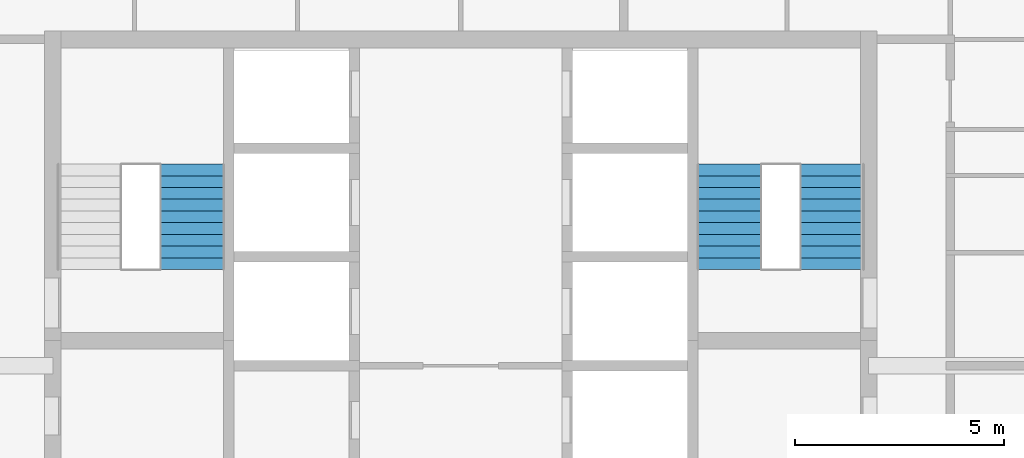
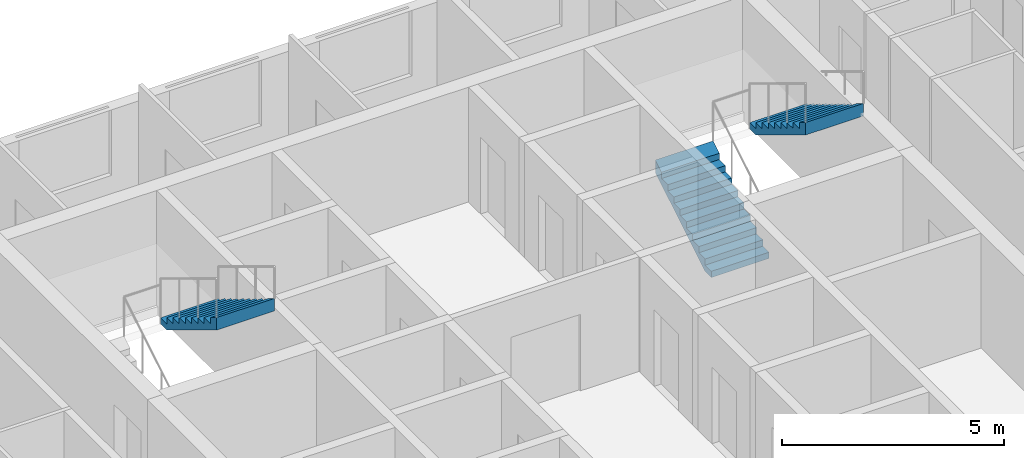
# One storey, part 14 of 16: 3 stair flights, 2 elements without a shape of their own.
"""IFC4 building model written with IfcOpenShell, lengths in metres."""

from ifc_helpers import new_model, si_unit, direction, frame, origin, place, context, subcontext, project, spatial, triangles, material, type_object, element, aggregate, save


model = new_model("IFC4")

# Units and contexts
model_context = context("Model", 3, precision=1e-05, world=origin(), true_north=direction((0.0, 1.0)))
body_context = subcontext(model_context, "Body", "Model", "MODEL_VIEW")
ifc_project = project(units=[si_unit("LENGTHUNIT", "METRE"), si_unit("AREAUNIT", "SQUARE_METRE"), si_unit("VOLUMEUNIT", "CUBIC_METRE"), si_unit("PLANEANGLEUNIT", "RADIAN"), si_unit("MASSUNIT", "GRAM", prefix="KILO")], contexts=[model_context])

# Site, building, storey
site_placement = place(None, origin())
site = spatial("IfcSite", under=ifc_project, at=site_placement, CompositionType="ELEMENT")
building_placement = place(site_placement, origin())
building = spatial("IfcBuilding", under=site, at=building_placement, Name="Ludao Terraces", CompositionType="ELEMENT")
storey_placement = place(building_placement, frame((0.0, 0.0, 224.5)))
storey = spatial("IfcBuildingStorey", under=building, at=storey_placement, Name="L61", CompositionType="ELEMENT", Elevation=224.5)

# Stair, stair flight
ifc_material = material(Name="Concrete C40", Category="concrete")
stair_type = type_object("IfcStairType", Name="INT Stair", PredefinedType="HALF_TURN_STAIR", material=ifc_material)
stair_1_placement = place(storey_placement, origin())
stair_1 = element("IfcStair", 1, at=stair_1_placement, inside=storey, type_object=stair_type, Name="EXIT STAIR 1", PredefinedType="HALF_TURN_STAIR")
stair_flight_type = type_object("IfcStairFlightType", Name="INT Stair flight", PredefinedType="STRAIGHT", material=ifc_material)
stair_flight_1_placement = place(storey_placement, frame((78.574951171875, 81.52001953125, 1.699951171875), z_axis=(0.0, 0.0, 1.0), x_axis=(0.0, -1.0, 0.0)))
stair_flight_1 = element("IfcStairFlight", 2, at=stair_flight_1_placement, type_object=stair_flight_type, Name="ST1 flight 2", NumberOfRisers=10, NumberOfTreads=9, PredefinedType="STRAIGHT", RiserHeight=0.17, TreadLength=0.28, context=body_context, shape_type="Tessellation", body=[
    triangles([(0.0, -0.75, 0.0), (0.0, -0.5, 0.0), (0.0, -0.25, 0.0), (0.0, 0.0, 0.0), (0.0, 0.25, 0.0), (0.0, 0.5, 0.0), (0.0, 0.75, 0.0), (0.0, -0.75, 0.169921875), (0.0, -0.5, 0.169921875), (0.0, -0.25, 0.169921875), (0.0, 0.0, 0.169921875), (0.0, 0.25, 0.169921875), (0.0, 0.5, 0.169921875), (0.0, 0.75, 0.169921875), (0.280029296875, -0.75, 0.169921875), (0.280029296875, -0.5, 0.169921875), (0.280029296875, -0.25, 0.169921875), (0.280029296875, 0.0, 0.169921875), (0.280029296875, 0.25, 0.169921875), (0.280029296875, 0.5, 0.169921875), (0.280029296875, 0.75, 0.169921875), (0.280029296875, -0.75, 0.340087890625), (0.280029296875, -0.5, 0.340087890625), (0.280029296875, -0.25, 0.340087890625), (0.280029296875, 0.0, 0.340087890625), (0.280029296875, 0.25, 0.340087890625), (0.280029296875, 0.5, 0.340087890625), (0.280029296875, 0.75, 0.340087890625), (0.56005859375, -0.75, 0.340087890625), (0.56005859375, -0.5, 0.340087890625), (0.56005859375, -0.25, 0.340087890625), (0.56005859375, 0.0, 0.340087890625), (0.56005859375, 0.25, 0.340087890625), (0.56005859375, 0.5, 0.340087890625), (0.56005859375, 0.75, 0.340087890625), (0.56005859375, -0.75, 0.510009765625), (0.56005859375, -0.5, 0.510009765625), (0.56005859375, -0.25, 0.510009765625), (0.56005859375, 0.0, 0.510009765625), (0.56005859375, 0.25, 0.510009765625), (0.56005859375, 0.5, 0.510009765625), (0.56005859375, 0.75, 0.510009765625), (0.840087890625, -0.75, 0.510009765625), (0.840087890625, -0.5, 0.510009765625), (0.840087890625, -0.25, 0.510009765625), (0.840087890625, 0.0, 0.510009765625), (0.840087890625, 0.25, 0.510009765625), (0.840087890625, 0.5, 0.510009765625), (0.840087890625, 0.75, 0.510009765625), (0.840087890625, -0.75, 0.679931640625), (0.840087890625, -0.5, 0.679931640625), (0.840087890625, -0.25, 0.679931640625), (0.840087890625, 0.0, 0.679931640625), (0.840087890625, 0.25, 0.679931640625), (0.840087890625, 0.5, 0.679931640625), (0.840087890625, 0.75, 0.679931640625), (1.1201171875, -0.75, 0.679931640625), (1.1201171875, -0.5, 0.679931640625), (1.1201171875, -0.25, 0.679931640625), (1.1201171875, 0.0, 0.679931640625), (1.1201171875, 0.25, 0.679931640625), (1.1201171875, 0.5, 0.679931640625), (1.1201171875, 0.75, 0.679931640625), (1.1201171875, -0.75, 0.85009765625), (1.1201171875, -0.5, 0.85009765625), (1.1201171875, -0.25, 0.85009765625), (1.1201171875, 0.0, 0.85009765625), (1.1201171875, 0.25, 0.85009765625), (1.1201171875, 0.5, 0.85009765625), (1.1201171875, 0.75, 0.85009765625), (1.39990234375, -0.75, 0.85009765625), (1.39990234375, -0.5, 0.85009765625), (1.39990234375, -0.25, 0.85009765625), (1.39990234375, 0.0, 0.85009765625), (1.39990234375, 0.25, 0.85009765625), (1.39990234375, 0.5, 0.85009765625), (1.39990234375, 0.75, 0.85009765625), (1.39990234375, -0.75, 1.02001953125), (1.39990234375, -0.5, 1.02001953125), (1.39990234375, -0.25, 1.02001953125), (1.39990234375, 0.0, 1.02001953125), (1.39990234375, 0.25, 1.02001953125), (1.39990234375, 0.5, 1.02001953125), (1.39990234375, 0.75, 1.02001953125), (1.679931640625, -0.75, 1.02001953125), (1.679931640625, -0.5, 1.02001953125), (1.679931640625, -0.25, 1.02001953125), (1.679931640625, 0.0, 1.02001953125), (1.679931640625, 0.25, 1.02001953125), (1.679931640625, 0.5, 1.02001953125), (1.679931640625, 0.75, 1.02001953125), (1.679931640625, -0.75, 1.18994140625), (1.679931640625, -0.5, 1.18994140625), (1.679931640625, -0.25, 1.18994140625), (1.679931640625, 0.0, 1.18994140625), (1.679931640625, 0.25, 1.18994140625), (1.679931640625, 0.5, 1.18994140625), (1.679931640625, 0.75, 1.18994140625), (1.9599609375, -0.75, 1.18994140625), (1.9599609375, -0.5, 1.18994140625), (1.9599609375, -0.25, 1.18994140625), (1.9599609375, 0.0, 1.18994140625), (1.9599609375, 0.25, 1.18994140625), (1.9599609375, 0.5, 1.18994140625), (1.9599609375, 0.75, 1.18994140625), (1.9599609375, -0.75, 1.360107421875), (1.9599609375, -0.5, 1.360107421875), (1.9599609375, -0.25, 1.360107421875), (1.9599609375, 0.0, 1.360107421875), (1.9599609375, 0.25, 1.360107421875), (1.9599609375, 0.5, 1.360107421875), (1.9599609375, 0.75, 1.360107421875), (2.239990234375, -0.75, 1.360107421875), (2.239990234375, -0.5, 1.360107421875), (2.239990234375, -0.25, 1.360107421875), (2.239990234375, 0.0, 1.360107421875), (2.239990234375, 0.25, 1.360107421875), (2.239990234375, 0.5, 1.360107421875), (2.239990234375, 0.75, 1.360107421875), (2.239990234375, -0.75, 1.530029296875), (2.239990234375, -0.5, 1.530029296875), (2.239990234375, -0.25, 1.530029296875), (2.239990234375, 0.0, 1.530029296875), (2.239990234375, 0.25, 1.530029296875), (2.239990234375, 0.5, 1.530029296875), (2.239990234375, 0.75, 1.530029296875), (2.52001953125, -0.75, 1.699951171875), (2.52001953125, -0.5, 1.699951171875), (2.52001953125, -0.25, 1.699951171875), (2.52001953125, 0.0, 1.699951171875), (2.52001953125, 0.25, 1.699951171875), (2.52001953125, 0.5, 1.699951171875), (2.52001953125, 0.75, 1.699951171875), (2.52001953125, -0.75, 1.354736328125), (2.52001953125, -0.5, 1.354736328125), (2.52001953125, -0.25, 1.354736328125), (2.52001953125, 0.0, 1.354736328125), (2.52001953125, 0.25, 1.354736328125), (2.52001953125, 0.5, 1.354736328125), (2.52001953125, 0.75, 1.354736328125), (0.288818359375, -0.75, 0.0), (0.288818359375, -0.5, 0.0), (0.288818359375, -0.25, 0.0), (0.288818359375, 0.0, 0.0), (0.288818359375, 0.25, 0.0), (0.288818359375, 0.5, 0.0), (0.288818359375, 0.75, 0.0)], [[1, 141, 134], [7, 140, 147], [134, 127, 120], [140, 126, 133], [134, 120, 113], [140, 119, 126], [134, 113, 106], [140, 112, 119], [134, 106, 99], [140, 105, 112], [99, 92, 85], [105, 91, 98], [134, 99, 85], [140, 91, 105], [85, 78, 71], [91, 77, 84], [134, 85, 71], [140, 77, 91], [71, 64, 57], [77, 63, 70], [134, 71, 57], [140, 63, 77], [57, 50, 43], [63, 49, 56], [134, 57, 43], [140, 49, 63], [43, 36, 29], [49, 35, 42], [134, 43, 29], [140, 35, 49], [29, 22, 15], [35, 21, 28], [134, 29, 15], [140, 21, 35], [1, 134, 15], [7, 21, 140], [15, 8, 1], [21, 7, 14], [1, 9, 2], [1, 8, 9], [2, 10, 3], [2, 9, 10], [3, 11, 4], [3, 10, 11], [4, 12, 5], [4, 11, 12], [5, 13, 6], [5, 12, 13], [6, 14, 7], [6, 13, 14], [8, 16, 9], [8, 15, 16], [9, 17, 10], [9, 16, 17], [10, 18, 11], [10, 17, 18], [11, 19, 12], [11, 18, 19], [12, 20, 13], [12, 19, 20], [13, 21, 14], [13, 20, 21], [15, 23, 16], [15, 22, 23], [16, 24, 17], [16, 23, 24], [17, 25, 18], [17, 24, 25], [18, 26, 19], [18, 25, 26], [19, 27, 20], [19, 26, 27], [20, 28, 21], [20, 27, 28], [22, 30, 23], [22, 29, 30], [23, 31, 24], [23, 30, 31], [24, 32, 25], [24, 31, 32], [25, 33, 26], [25, 32, 33], [26, 34, 27], [26, 33, 34], [27, 35, 28], [27, 34, 35], [29, 37, 30], [29, 36, 37], [30, 38, 31], [30, 37, 38], [31, 39, 32], [31, 38, 39], [32, 40, 33], [32, 39, 40], [33, 41, 34], [33, 40, 41], [34, 42, 35], [34, 41, 42], [36, 44, 37], [36, 43, 44], [37, 45, 38], [37, 44, 45], [38, 46, 39], [38, 45, 46], [39, 47, 40], [39, 46, 47], [40, 48, 41], [40, 47, 48], [41, 49, 42], [41, 48, 49], [43, 51, 44], [43, 50, 51], [44, 52, 45], [44, 51, 52], [45, 53, 46], [45, 52, 53], [46, 54, 47], [46, 53, 54], [47, 55, 48], [47, 54, 55], [48, 56, 49], [48, 55, 56], [50, 58, 51], [50, 57, 58], [51, 59, 52], [51, 58, 59], [52, 60, 53], [52, 59, 60], [53, 61, 54], [53, 60, 61], [54, 62, 55], [54, 61, 62], [55, 63, 56], [55, 62, 63], [57, 65, 58], [57, 64, 65], [58, 66, 59], [58, 65, 66], [59, 67, 60], [59, 66, 67], [60, 68, 61], [60, 67, 68], [61, 69, 62], [61, 68, 69], [62, 70, 63], [62, 69, 70], [64, 72, 65], [64, 71, 72], [65, 73, 66], [65, 72, 73], [66, 74, 67], [66, 73, 74], [67, 75, 68], [67, 74, 75], [68, 76, 69], [68, 75, 76], [69, 77, 70], [69, 76, 77], [71, 79, 72], [71, 78, 79], [72, 80, 73], [72, 79, 80], [73, 81, 74], [73, 80, 81], [74, 82, 75], [74, 81, 82], [75, 83, 76], [75, 82, 83], [76, 84, 77], [76, 83, 84], [78, 86, 79], [78, 85, 86], [79, 87, 80], [79, 86, 87], [80, 88, 81], [80, 87, 88], [81, 89, 82], [81, 88, 89], [82, 90, 83], [82, 89, 90], [83, 91, 84], [83, 90, 91], [85, 93, 86], [85, 92, 93], [86, 94, 87], [86, 93, 94], [87, 95, 88], [87, 94, 95], [88, 96, 89], [88, 95, 96], [89, 97, 90], [89, 96, 97], [90, 98, 91], [90, 97, 98], [92, 100, 93], [92, 99, 100], [93, 101, 94], [93, 100, 101], [94, 102, 95], [94, 101, 102], [95, 103, 96], [95, 102, 103], [96, 104, 97], [96, 103, 104], [97, 105, 98], [97, 104, 105], [99, 107, 100], [99, 106, 107], [100, 108, 101], [100, 107, 108], [101, 109, 102], [101, 108, 109], [102, 110, 103], [102, 109, 110], [103, 111, 104], [103, 110, 111], [104, 112, 105], [104, 111, 112], [106, 114, 107], [106, 113, 114], [107, 115, 108], [107, 114, 115], [108, 116, 109], [108, 115, 116], [109, 117, 110], [109, 116, 117], [110, 118, 111], [110, 117, 118], [111, 119, 112], [111, 118, 119], [113, 121, 114], [113, 120, 121], [114, 122, 115], [114, 121, 122], [115, 123, 116], [115, 122, 123], [116, 124, 117], [116, 123, 124], [117, 125, 118], [117, 124, 125], [118, 126, 119], [118, 125, 126], [120, 128, 121], [120, 127, 128], [121, 129, 122], [121, 128, 129], [122, 130, 123], [122, 129, 130], [123, 131, 124], [123, 130, 131], [124, 132, 125], [124, 131, 132], [125, 133, 126], [125, 132, 133], [127, 135, 128], [127, 134, 135], [128, 136, 129], [128, 135, 136], [129, 137, 130], [129, 136, 137], [130, 138, 131], [130, 137, 138], [131, 139, 132], [131, 138, 139], [132, 140, 133], [132, 139, 140], [134, 142, 135], [134, 141, 142], [135, 143, 136], [135, 142, 143], [136, 144, 137], [136, 143, 144], [137, 145, 138], [137, 144, 145], [138, 146, 139], [138, 145, 146], [139, 147, 140], [139, 146, 147], [141, 2, 142], [141, 1, 2], [142, 3, 143], [142, 2, 3], [143, 4, 144], [143, 3, 4], [144, 5, 145], [144, 4, 5], [145, 6, 146], [145, 5, 6], [146, 7, 147], [146, 6, 7]], closed=True),
])
aggregate(stair_1, [stair_flight_1])

# Stair, stair flights
stair_2_placement = place(storey_placement, origin())
stair_2 = element("IfcStair", 3, at=stair_2_placement, inside=storey, type_object=stair_type, Name="EXIT STAIR 2", PredefinedType="HALF_TURN_STAIR")
stair_flight_2_placement = place(storey_placement, frame((91.425048828125, 79.0, 0.0), z_axis=(0.0, 0.0, 1.0), x_axis=(0.0, 1.0, 0.0)))
stair_flight_2 = element("IfcStairFlight", 4, at=stair_flight_2_placement, type_object=stair_flight_type, Name="ST2 flight 1", NumberOfRisers=10, NumberOfTreads=9, PredefinedType="STRAIGHT", RiserHeight=0.17, TreadLength=0.28, context=body_context, shape_type="Tessellation", body=[
    triangles([(0.0, -0.75, 0.0), (0.0, -0.5, 0.0), (0.0, -0.25, 0.0), (0.0, 0.0, 0.0), (0.0, 0.25, 0.0), (0.0, 0.5, 0.0), (0.0, 0.75, 0.0), (0.0, -0.75, 0.169921875), (0.0, -0.5, 0.169921875), (0.0, -0.25, 0.169921875), (0.0, 0.0, 0.169921875), (0.0, 0.25, 0.169921875), (0.0, 0.5, 0.169921875), (0.0, 0.75, 0.169921875), (0.280029296875, -0.75, 0.169921875), (0.280029296875, -0.5, 0.169921875), (0.280029296875, -0.25, 0.169921875), (0.280029296875, 0.0, 0.169921875), (0.280029296875, 0.25, 0.169921875), (0.280029296875, 0.5, 0.169921875), (0.280029296875, 0.75, 0.169921875), (0.280029296875, -0.75, 0.340087890625), (0.280029296875, -0.5, 0.340087890625), (0.280029296875, -0.25, 0.340087890625), (0.280029296875, 0.0, 0.340087890625), (0.280029296875, 0.25, 0.340087890625), (0.280029296875, 0.5, 0.340087890625), (0.280029296875, 0.75, 0.340087890625), (0.56005859375, -0.75, 0.340087890625), (0.56005859375, -0.5, 0.340087890625), (0.56005859375, -0.25, 0.340087890625), (0.56005859375, 0.0, 0.340087890625), (0.56005859375, 0.25, 0.340087890625), (0.56005859375, 0.5, 0.340087890625), (0.56005859375, 0.75, 0.340087890625), (0.56005859375, -0.75, 0.510009765625), (0.56005859375, -0.5, 0.510009765625), (0.56005859375, -0.25, 0.510009765625), (0.56005859375, 0.0, 0.510009765625), (0.56005859375, 0.25, 0.510009765625), (0.56005859375, 0.5, 0.510009765625), (0.56005859375, 0.75, 0.510009765625), (0.840087890625, -0.75, 0.510009765625), (0.840087890625, -0.5, 0.510009765625), (0.840087890625, -0.25, 0.510009765625), (0.840087890625, 0.0, 0.510009765625), (0.840087890625, 0.25, 0.510009765625), (0.840087890625, 0.5, 0.510009765625), (0.840087890625, 0.75, 0.510009765625), (0.840087890625, -0.75, 0.679931640625), (0.840087890625, -0.5, 0.679931640625), (0.840087890625, -0.25, 0.679931640625), (0.840087890625, 0.0, 0.679931640625), (0.840087890625, 0.25, 0.679931640625), (0.840087890625, 0.5, 0.679931640625), (0.840087890625, 0.75, 0.679931640625), (1.1201171875, -0.75, 0.679931640625), (1.1201171875, -0.5, 0.679931640625), (1.1201171875, -0.25, 0.679931640625), (1.1201171875, 0.0, 0.679931640625), (1.1201171875, 0.25, 0.679931640625), (1.1201171875, 0.5, 0.679931640625), (1.1201171875, 0.75, 0.679931640625), (1.1201171875, -0.75, 0.85009765625), (1.1201171875, -0.5, 0.85009765625), (1.1201171875, -0.25, 0.85009765625), (1.1201171875, 0.0, 0.85009765625), (1.1201171875, 0.25, 0.85009765625), (1.1201171875, 0.5, 0.85009765625), (1.1201171875, 0.75, 0.85009765625), (1.39990234375, -0.75, 0.85009765625), (1.39990234375, -0.5, 0.85009765625), (1.39990234375, -0.25, 0.85009765625), (1.39990234375, 0.0, 0.85009765625), (1.39990234375, 0.25, 0.85009765625), (1.39990234375, 0.5, 0.85009765625), (1.39990234375, 0.75, 0.85009765625), (1.39990234375, -0.75, 1.02001953125), (1.39990234375, -0.5, 1.02001953125), (1.39990234375, -0.25, 1.02001953125), (1.39990234375, 0.0, 1.02001953125), (1.39990234375, 0.25, 1.02001953125), (1.39990234375, 0.5, 1.02001953125), (1.39990234375, 0.75, 1.02001953125), (1.679931640625, -0.75, 1.02001953125), (1.679931640625, -0.5, 1.02001953125), (1.679931640625, -0.25, 1.02001953125), (1.679931640625, 0.0, 1.02001953125), (1.679931640625, 0.25, 1.02001953125), (1.679931640625, 0.5, 1.02001953125), (1.679931640625, 0.75, 1.02001953125), (1.679931640625, -0.75, 1.18994140625), (1.679931640625, -0.5, 1.18994140625), (1.679931640625, -0.25, 1.18994140625), (1.679931640625, 0.0, 1.18994140625), (1.679931640625, 0.25, 1.18994140625), (1.679931640625, 0.5, 1.18994140625), (1.679931640625, 0.75, 1.18994140625), (1.9599609375, -0.75, 1.18994140625), (1.9599609375, -0.5, 1.18994140625), (1.9599609375, -0.25, 1.18994140625), (1.9599609375, 0.0, 1.18994140625), (1.9599609375, 0.25, 1.18994140625), (1.9599609375, 0.5, 1.18994140625), (1.9599609375, 0.75, 1.18994140625), (1.9599609375, -0.75, 1.360107421875), (1.9599609375, -0.5, 1.360107421875), (1.9599609375, -0.25, 1.360107421875), (1.9599609375, 0.0, 1.360107421875), (1.9599609375, 0.25, 1.360107421875), (1.9599609375, 0.5, 1.360107421875), (1.9599609375, 0.75, 1.360107421875), (2.239990234375, -0.75, 1.360107421875), (2.239990234375, -0.5, 1.360107421875), (2.239990234375, -0.25, 1.360107421875), (2.239990234375, 0.0, 1.360107421875), (2.239990234375, 0.25, 1.360107421875), (2.239990234375, 0.5, 1.360107421875), (2.239990234375, 0.75, 1.360107421875), (2.239990234375, -0.75, 1.530029296875), (2.239990234375, -0.5, 1.530029296875), (2.239990234375, -0.25, 1.530029296875), (2.239990234375, 0.0, 1.530029296875), (2.239990234375, 0.25, 1.530029296875), (2.239990234375, 0.5, 1.530029296875), (2.239990234375, 0.75, 1.530029296875), (2.52001953125, -0.75, 1.699951171875), (2.52001953125, -0.5, 1.699951171875), (2.52001953125, -0.25, 1.699951171875), (2.52001953125, 0.0, 1.699951171875), (2.52001953125, 0.25, 1.699951171875), (2.52001953125, 0.5, 1.699951171875), (2.52001953125, 0.75, 1.699951171875), (2.52001953125, -0.75, 1.354736328125), (2.52001953125, -0.5, 1.354736328125), (2.52001953125, -0.25, 1.354736328125), (2.52001953125, 0.0, 1.354736328125), (2.52001953125, 0.25, 1.354736328125), (2.52001953125, 0.5, 1.354736328125), (2.52001953125, 0.75, 1.354736328125), (0.288818359375, -0.75, 0.0), (0.288818359375, -0.5, 0.0), (0.288818359375, -0.25, 0.0), (0.288818359375, 0.0, 0.0), (0.288818359375, 0.25, 0.0), (0.288818359375, 0.5, 0.0), (0.288818359375, 0.75, 0.0)], [[1, 141, 134], [7, 140, 147], [134, 127, 120], [140, 126, 133], [134, 120, 113], [140, 119, 126], [134, 113, 106], [140, 112, 119], [134, 106, 99], [140, 105, 112], [99, 92, 85], [105, 91, 98], [134, 99, 85], [140, 91, 105], [85, 78, 71], [91, 77, 84], [134, 85, 71], [140, 77, 91], [71, 64, 57], [77, 63, 70], [134, 71, 57], [140, 63, 77], [57, 50, 43], [63, 49, 56], [134, 57, 43], [140, 49, 63], [43, 36, 29], [49, 35, 42], [134, 43, 29], [140, 35, 49], [29, 22, 15], [35, 21, 28], [134, 29, 15], [140, 21, 35], [1, 134, 15], [7, 21, 140], [15, 8, 1], [21, 7, 14], [1, 9, 2], [1, 8, 9], [2, 10, 3], [2, 9, 10], [3, 11, 4], [3, 10, 11], [4, 12, 5], [4, 11, 12], [5, 13, 6], [5, 12, 13], [6, 14, 7], [6, 13, 14], [8, 16, 9], [8, 15, 16], [9, 17, 10], [9, 16, 17], [10, 18, 11], [10, 17, 18], [11, 19, 12], [11, 18, 19], [12, 20, 13], [12, 19, 20], [13, 21, 14], [13, 20, 21], [15, 23, 16], [15, 22, 23], [16, 24, 17], [16, 23, 24], [17, 25, 18], [17, 24, 25], [18, 26, 19], [18, 25, 26], [19, 27, 20], [19, 26, 27], [20, 28, 21], [20, 27, 28], [22, 30, 23], [22, 29, 30], [23, 31, 24], [23, 30, 31], [24, 32, 25], [24, 31, 32], [25, 33, 26], [25, 32, 33], [26, 34, 27], [26, 33, 34], [27, 35, 28], [27, 34, 35], [29, 37, 30], [29, 36, 37], [30, 38, 31], [30, 37, 38], [31, 39, 32], [31, 38, 39], [32, 40, 33], [32, 39, 40], [33, 41, 34], [33, 40, 41], [34, 42, 35], [34, 41, 42], [36, 44, 37], [36, 43, 44], [37, 45, 38], [37, 44, 45], [38, 46, 39], [38, 45, 46], [39, 47, 40], [39, 46, 47], [40, 48, 41], [40, 47, 48], [41, 49, 42], [41, 48, 49], [43, 51, 44], [43, 50, 51], [44, 52, 45], [44, 51, 52], [45, 53, 46], [45, 52, 53], [46, 54, 47], [46, 53, 54], [47, 55, 48], [47, 54, 55], [48, 56, 49], [48, 55, 56], [50, 58, 51], [50, 57, 58], [51, 59, 52], [51, 58, 59], [52, 60, 53], [52, 59, 60], [53, 61, 54], [53, 60, 61], [54, 62, 55], [54, 61, 62], [55, 63, 56], [55, 62, 63], [57, 65, 58], [57, 64, 65], [58, 66, 59], [58, 65, 66], [59, 67, 60], [59, 66, 67], [60, 68, 61], [60, 67, 68], [61, 69, 62], [61, 68, 69], [62, 70, 63], [62, 69, 70], [64, 72, 65], [64, 71, 72], [65, 73, 66], [65, 72, 73], [66, 74, 67], [66, 73, 74], [67, 75, 68], [67, 74, 75], [68, 76, 69], [68, 75, 76], [69, 77, 70], [69, 76, 77], [71, 79, 72], [71, 78, 79], [72, 80, 73], [72, 79, 80], [73, 81, 74], [73, 80, 81], [74, 82, 75], [74, 81, 82], [75, 83, 76], [75, 82, 83], [76, 84, 77], [76, 83, 84], [78, 86, 79], [78, 85, 86], [79, 87, 80], [79, 86, 87], [80, 88, 81], [80, 87, 88], [81, 89, 82], [81, 88, 89], [82, 90, 83], [82, 89, 90], [83, 91, 84], [83, 90, 91], [85, 93, 86], [85, 92, 93], [86, 94, 87], [86, 93, 94], [87, 95, 88], [87, 94, 95], [88, 96, 89], [88, 95, 96], [89, 97, 90], [89, 96, 97], [90, 98, 91], [90, 97, 98], [92, 100, 93], [92, 99, 100], [93, 101, 94], [93, 100, 101], [94, 102, 95], [94, 101, 102], [95, 103, 96], [95, 102, 103], [96, 104, 97], [96, 103, 104], [97, 105, 98], [97, 104, 105], [99, 107, 100], [99, 106, 107], [100, 108, 101], [100, 107, 108], [101, 109, 102], [101, 108, 109], [102, 110, 103], [102, 109, 110], [103, 111, 104], [103, 110, 111], [104, 112, 105], [104, 111, 112], [106, 114, 107], [106, 113, 114], [107, 115, 108], [107, 114, 115], [108, 116, 109], [108, 115, 116], [109, 117, 110], [109, 116, 117], [110, 118, 111], [110, 117, 118], [111, 119, 112], [111, 118, 119], [113, 121, 114], [113, 120, 121], [114, 122, 115], [114, 121, 122], [115, 123, 116], [115, 122, 123], [116, 124, 117], [116, 123, 124], [117, 125, 118], [117, 124, 125], [118, 126, 119], [118, 125, 126], [120, 128, 121], [120, 127, 128], [121, 129, 122], [121, 128, 129], [122, 130, 123], [122, 129, 130], [123, 131, 124], [123, 130, 131], [124, 132, 125], [124, 131, 132], [125, 133, 126], [125, 132, 133], [127, 135, 128], [127, 134, 135], [128, 136, 129], [128, 135, 136], [129, 137, 130], [129, 136, 137], [130, 138, 131], [130, 137, 138], [131, 139, 132], [131, 138, 139], [132, 140, 133], [132, 139, 140], [134, 142, 135], [134, 141, 142], [135, 143, 136], [135, 142, 143], [136, 144, 137], [136, 143, 144], [137, 145, 138], [137, 144, 145], [138, 146, 139], [138, 145, 146], [139, 147, 140], [139, 146, 147], [141, 2, 142], [141, 1, 2], [142, 3, 143], [142, 2, 3], [143, 4, 144], [143, 3, 4], [144, 5, 145], [144, 4, 5], [145, 6, 146], [145, 5, 6], [146, 7, 147], [146, 6, 7]], closed=True),
])
stair_flight_3_placement = place(storey_placement, frame((93.875, 81.52001953125, 1.699951171875), z_axis=(0.0, 0.0, 1.0), x_axis=(0.0, -1.0, 0.0)))
stair_flight_3 = element("IfcStairFlight", 5, at=stair_flight_3_placement, type_object=stair_flight_type, Name="ST2 flight 2", NumberOfRisers=10, NumberOfTreads=9, PredefinedType="STRAIGHT", RiserHeight=0.17, TreadLength=0.28, context=body_context, shape_type="Tessellation", body=[
    triangles([(0.0, -0.75, 0.0), (0.0, -0.5, 0.0), (0.0, -0.25, 0.0), (0.0, 0.0, 0.0), (0.0, 0.25, 0.0), (0.0, 0.5, 0.0), (0.0, 0.75, 0.0), (0.0, -0.75, 0.169921875), (0.0, -0.5, 0.169921875), (0.0, -0.25, 0.169921875), (0.0, 0.0, 0.169921875), (0.0, 0.25, 0.169921875), (0.0, 0.5, 0.169921875), (0.0, 0.75, 0.169921875), (0.280029296875, -0.75, 0.169921875), (0.280029296875, -0.5, 0.169921875), (0.280029296875, -0.25, 0.169921875), (0.280029296875, 0.0, 0.169921875), (0.280029296875, 0.25, 0.169921875), (0.280029296875, 0.5, 0.169921875), (0.280029296875, 0.75, 0.169921875), (0.280029296875, -0.75, 0.340087890625), (0.280029296875, -0.5, 0.340087890625), (0.280029296875, -0.25, 0.340087890625), (0.280029296875, 0.0, 0.340087890625), (0.280029296875, 0.25, 0.340087890625), (0.280029296875, 0.5, 0.340087890625), (0.280029296875, 0.75, 0.340087890625), (0.56005859375, -0.75, 0.340087890625), (0.56005859375, -0.5, 0.340087890625), (0.56005859375, -0.25, 0.340087890625), (0.56005859375, 0.0, 0.340087890625), (0.56005859375, 0.25, 0.340087890625), (0.56005859375, 0.5, 0.340087890625), (0.56005859375, 0.75, 0.340087890625), (0.56005859375, -0.75, 0.510009765625), (0.56005859375, -0.5, 0.510009765625), (0.56005859375, -0.25, 0.510009765625), (0.56005859375, 0.0, 0.510009765625), (0.56005859375, 0.25, 0.510009765625), (0.56005859375, 0.5, 0.510009765625), (0.56005859375, 0.75, 0.510009765625), (0.840087890625, -0.75, 0.510009765625), (0.840087890625, -0.5, 0.510009765625), (0.840087890625, -0.25, 0.510009765625), (0.840087890625, 0.0, 0.510009765625), (0.840087890625, 0.25, 0.510009765625), (0.840087890625, 0.5, 0.510009765625), (0.840087890625, 0.75, 0.510009765625), (0.840087890625, -0.75, 0.679931640625), (0.840087890625, -0.5, 0.679931640625), (0.840087890625, -0.25, 0.679931640625), (0.840087890625, 0.0, 0.679931640625), (0.840087890625, 0.25, 0.679931640625), (0.840087890625, 0.5, 0.679931640625), (0.840087890625, 0.75, 0.679931640625), (1.1201171875, -0.75, 0.679931640625), (1.1201171875, -0.5, 0.679931640625), (1.1201171875, -0.25, 0.679931640625), (1.1201171875, 0.0, 0.679931640625), (1.1201171875, 0.25, 0.679931640625), (1.1201171875, 0.5, 0.679931640625), (1.1201171875, 0.75, 0.679931640625), (1.1201171875, -0.75, 0.85009765625), (1.1201171875, -0.5, 0.85009765625), (1.1201171875, -0.25, 0.85009765625), (1.1201171875, 0.0, 0.85009765625), (1.1201171875, 0.25, 0.85009765625), (1.1201171875, 0.5, 0.85009765625), (1.1201171875, 0.75, 0.85009765625), (1.39990234375, -0.75, 0.85009765625), (1.39990234375, -0.5, 0.85009765625), (1.39990234375, -0.25, 0.85009765625), (1.39990234375, 0.0, 0.85009765625), (1.39990234375, 0.25, 0.85009765625), (1.39990234375, 0.5, 0.85009765625), (1.39990234375, 0.75, 0.85009765625), (1.39990234375, -0.75, 1.02001953125), (1.39990234375, -0.5, 1.02001953125), (1.39990234375, -0.25, 1.02001953125), (1.39990234375, 0.0, 1.02001953125), (1.39990234375, 0.25, 1.02001953125), (1.39990234375, 0.5, 1.02001953125), (1.39990234375, 0.75, 1.02001953125), (1.679931640625, -0.75, 1.02001953125), (1.679931640625, -0.5, 1.02001953125), (1.679931640625, -0.25, 1.02001953125), (1.679931640625, 0.0, 1.02001953125), (1.679931640625, 0.25, 1.02001953125), (1.679931640625, 0.5, 1.02001953125), (1.679931640625, 0.75, 1.02001953125), (1.679931640625, -0.75, 1.18994140625), (1.679931640625, -0.5, 1.18994140625), (1.679931640625, -0.25, 1.18994140625), (1.679931640625, 0.0, 1.18994140625), (1.679931640625, 0.25, 1.18994140625), (1.679931640625, 0.5, 1.18994140625), (1.679931640625, 0.75, 1.18994140625), (1.9599609375, -0.75, 1.18994140625), (1.9599609375, -0.5, 1.18994140625), (1.9599609375, -0.25, 1.18994140625), (1.9599609375, 0.0, 1.18994140625), (1.9599609375, 0.25, 1.18994140625), (1.9599609375, 0.5, 1.18994140625), (1.9599609375, 0.75, 1.18994140625), (1.9599609375, -0.75, 1.360107421875), (1.9599609375, -0.5, 1.360107421875), (1.9599609375, -0.25, 1.360107421875), (1.9599609375, 0.0, 1.360107421875), (1.9599609375, 0.25, 1.360107421875), (1.9599609375, 0.5, 1.360107421875), (1.9599609375, 0.75, 1.360107421875), (2.239990234375, -0.75, 1.360107421875), (2.239990234375, -0.5, 1.360107421875), (2.239990234375, -0.25, 1.360107421875), (2.239990234375, 0.0, 1.360107421875), (2.239990234375, 0.25, 1.360107421875), (2.239990234375, 0.5, 1.360107421875), (2.239990234375, 0.75, 1.360107421875), (2.239990234375, -0.75, 1.530029296875), (2.239990234375, -0.5, 1.530029296875), (2.239990234375, -0.25, 1.530029296875), (2.239990234375, 0.0, 1.530029296875), (2.239990234375, 0.25, 1.530029296875), (2.239990234375, 0.5, 1.530029296875), (2.239990234375, 0.75, 1.530029296875), (2.52001953125, -0.75, 1.699951171875), (2.52001953125, -0.5, 1.699951171875), (2.52001953125, -0.25, 1.699951171875), (2.52001953125, 0.0, 1.699951171875), (2.52001953125, 0.25, 1.699951171875), (2.52001953125, 0.5, 1.699951171875), (2.52001953125, 0.75, 1.699951171875), (2.52001953125, -0.75, 1.354736328125), (2.52001953125, -0.5, 1.354736328125), (2.52001953125, -0.25, 1.354736328125), (2.52001953125, 0.0, 1.354736328125), (2.52001953125, 0.25, 1.354736328125), (2.52001953125, 0.5, 1.354736328125), (2.52001953125, 0.75, 1.354736328125), (0.288818359375, -0.75, 0.0), (0.288818359375, -0.5, 0.0), (0.288818359375, -0.25, 0.0), (0.288818359375, 0.0, 0.0), (0.288818359375, 0.25, 0.0), (0.288818359375, 0.5, 0.0), (0.288818359375, 0.75, 0.0)], [[1, 141, 134], [7, 140, 147], [134, 127, 120], [140, 126, 133], [134, 120, 113], [140, 119, 126], [134, 113, 106], [140, 112, 119], [134, 106, 99], [140, 105, 112], [99, 92, 85], [105, 91, 98], [134, 99, 85], [140, 91, 105], [85, 78, 71], [91, 77, 84], [134, 85, 71], [140, 77, 91], [71, 64, 57], [77, 63, 70], [134, 71, 57], [140, 63, 77], [57, 50, 43], [63, 49, 56], [134, 57, 43], [140, 49, 63], [43, 36, 29], [49, 35, 42], [134, 43, 29], [140, 35, 49], [29, 22, 15], [35, 21, 28], [134, 29, 15], [140, 21, 35], [1, 134, 15], [7, 21, 140], [15, 8, 1], [21, 7, 14], [1, 9, 2], [1, 8, 9], [2, 10, 3], [2, 9, 10], [3, 11, 4], [3, 10, 11], [4, 12, 5], [4, 11, 12], [5, 13, 6], [5, 12, 13], [6, 14, 7], [6, 13, 14], [8, 16, 9], [8, 15, 16], [9, 17, 10], [9, 16, 17], [10, 18, 11], [10, 17, 18], [11, 19, 12], [11, 18, 19], [12, 20, 13], [12, 19, 20], [13, 21, 14], [13, 20, 21], [15, 23, 16], [15, 22, 23], [16, 24, 17], [16, 23, 24], [17, 25, 18], [17, 24, 25], [18, 26, 19], [18, 25, 26], [19, 27, 20], [19, 26, 27], [20, 28, 21], [20, 27, 28], [22, 30, 23], [22, 29, 30], [23, 31, 24], [23, 30, 31], [24, 32, 25], [24, 31, 32], [25, 33, 26], [25, 32, 33], [26, 34, 27], [26, 33, 34], [27, 35, 28], [27, 34, 35], [29, 37, 30], [29, 36, 37], [30, 38, 31], [30, 37, 38], [31, 39, 32], [31, 38, 39], [32, 40, 33], [32, 39, 40], [33, 41, 34], [33, 40, 41], [34, 42, 35], [34, 41, 42], [36, 44, 37], [36, 43, 44], [37, 45, 38], [37, 44, 45], [38, 46, 39], [38, 45, 46], [39, 47, 40], [39, 46, 47], [40, 48, 41], [40, 47, 48], [41, 49, 42], [41, 48, 49], [43, 51, 44], [43, 50, 51], [44, 52, 45], [44, 51, 52], [45, 53, 46], [45, 52, 53], [46, 54, 47], [46, 53, 54], [47, 55, 48], [47, 54, 55], [48, 56, 49], [48, 55, 56], [50, 58, 51], [50, 57, 58], [51, 59, 52], [51, 58, 59], [52, 60, 53], [52, 59, 60], [53, 61, 54], [53, 60, 61], [54, 62, 55], [54, 61, 62], [55, 63, 56], [55, 62, 63], [57, 65, 58], [57, 64, 65], [58, 66, 59], [58, 65, 66], [59, 67, 60], [59, 66, 67], [60, 68, 61], [60, 67, 68], [61, 69, 62], [61, 68, 69], [62, 70, 63], [62, 69, 70], [64, 72, 65], [64, 71, 72], [65, 73, 66], [65, 72, 73], [66, 74, 67], [66, 73, 74], [67, 75, 68], [67, 74, 75], [68, 76, 69], [68, 75, 76], [69, 77, 70], [69, 76, 77], [71, 79, 72], [71, 78, 79], [72, 80, 73], [72, 79, 80], [73, 81, 74], [73, 80, 81], [74, 82, 75], [74, 81, 82], [75, 83, 76], [75, 82, 83], [76, 84, 77], [76, 83, 84], [78, 86, 79], [78, 85, 86], [79, 87, 80], [79, 86, 87], [80, 88, 81], [80, 87, 88], [81, 89, 82], [81, 88, 89], [82, 90, 83], [82, 89, 90], [83, 91, 84], [83, 90, 91], [85, 93, 86], [85, 92, 93], [86, 94, 87], [86, 93, 94], [87, 95, 88], [87, 94, 95], [88, 96, 89], [88, 95, 96], [89, 97, 90], [89, 96, 97], [90, 98, 91], [90, 97, 98], [92, 100, 93], [92, 99, 100], [93, 101, 94], [93, 100, 101], [94, 102, 95], [94, 101, 102], [95, 103, 96], [95, 102, 103], [96, 104, 97], [96, 103, 104], [97, 105, 98], [97, 104, 105], [99, 107, 100], [99, 106, 107], [100, 108, 101], [100, 107, 108], [101, 109, 102], [101, 108, 109], [102, 110, 103], [102, 109, 110], [103, 111, 104], [103, 110, 111], [104, 112, 105], [104, 111, 112], [106, 114, 107], [106, 113, 114], [107, 115, 108], [107, 114, 115], [108, 116, 109], [108, 115, 116], [109, 117, 110], [109, 116, 117], [110, 118, 111], [110, 117, 118], [111, 119, 112], [111, 118, 119], [113, 121, 114], [113, 120, 121], [114, 122, 115], [114, 121, 122], [115, 123, 116], [115, 122, 123], [116, 124, 117], [116, 123, 124], [117, 125, 118], [117, 124, 125], [118, 126, 119], [118, 125, 126], [120, 128, 121], [120, 127, 128], [121, 129, 122], [121, 128, 129], [122, 130, 123], [122, 129, 130], [123, 131, 124], [123, 130, 131], [124, 132, 125], [124, 131, 132], [125, 133, 126], [125, 132, 133], [127, 135, 128], [127, 134, 135], [128, 136, 129], [128, 135, 136], [129, 137, 130], [129, 136, 137], [130, 138, 131], [130, 137, 138], [131, 139, 132], [131, 138, 139], [132, 140, 133], [132, 139, 140], [134, 142, 135], [134, 141, 142], [135, 143, 136], [135, 142, 143], [136, 144, 137], [136, 143, 144], [137, 145, 138], [137, 144, 145], [138, 146, 139], [138, 145, 146], [139, 147, 140], [139, 146, 147], [141, 2, 142], [141, 1, 2], [142, 3, 143], [142, 2, 3], [143, 4, 144], [143, 3, 4], [144, 5, 145], [144, 4, 5], [145, 6, 146], [145, 5, 6], [146, 7, 147], [146, 6, 7]], closed=True),
])
aggregate(stair_2, [stair_flight_2, stair_flight_3])

save(model, "model.ifc")
